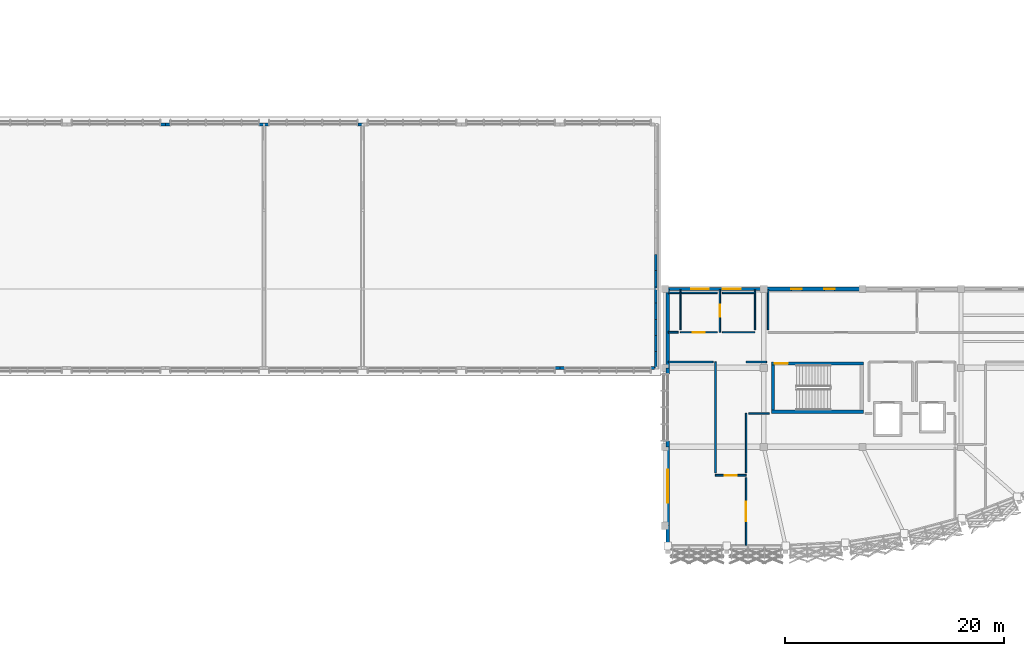
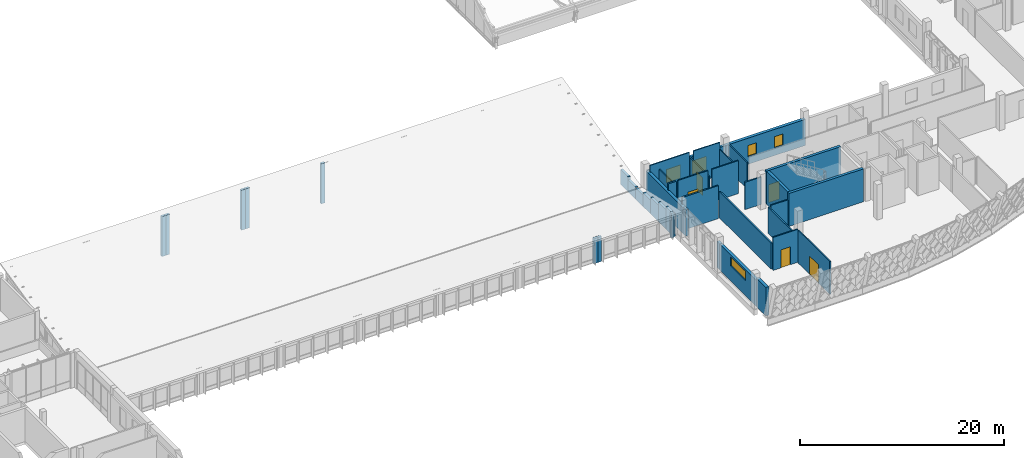
# One storey, part 164 of 182: 41 walls, 5 doors, 5 windows, 10 openings.
"""IFC4 building model written with IfcOpenShell, lengths in metres."""

import ifcopenshell
import ifcopenshell.guid

model = None  # the IFC model being written
_history = None  # IfcOwnerHistory: only IFC2X3 demands one
_inside = {}  # id of a spatial element -> (the spatial element, [elements in it])
_under = {}  # id of a project, library or spatial element -> (it, [spatial elements below it])
_declared = {}  # id of a project -> (the project, [libraries it declares])
_typed = {}  # id of a type object -> (the type object, [elements of that type])
_made_of = {}  # id of a material, layer set ... -> (it, [elements and type objects made of it])


def new_model(schema):
    """Start an empty IFC model of exactly this schema.

    Asked for "IFC4X3", IfcOpenShell would pick the latest addendum, in which some entities
    have other attributes; the version numbers below select the first issue.
    IFC2X3 requires an IfcOwnerHistory on every rooted entity: one is made here for all.
    """
    global model, _history
    if schema == "IFC4X3":
        model = ifcopenshell.file(schema_version=(4, 3, 0, 0))
    else:
        model = ifcopenshell.file(schema=schema)
    _inside.clear()
    _under.clear()
    _declared.clear()
    _typed.clear()
    _made_of.clear()
    _history = None
    if model.schema == "IFC2X3":
        org = make("IfcOrganization", Name="unknown")
        user = make(
            "IfcPersonAndOrganization",
            ThePerson=make("IfcPerson", FamilyName="unknown"),
            TheOrganization=org,
        )
        app = make(
            "IfcApplication",
            ApplicationDeveloper=org,
            Version="unknown",
            ApplicationFullName="unknown",
            ApplicationIdentifier="unknown",
        )
        _history = make(
            "IfcOwnerHistory",
            OwningUser=user,
            OwningApplication=app,
            ChangeAction="ADDED",
            CreationDate=0,
        )
    return model


def make(cls, **values):
    """One entity of the class cls with the attributes given. An attribute that is None is left unset."""
    return model.create_entity(
        cls, **{name: value for name, value in values.items() if value is not None}
    )


def rooted(cls, **values):
    """An entity with a GlobalId (a new one), such as an element, a storey or a relation."""
    return make(cls, GlobalId=ifcopenshell.guid.new(), OwnerHistory=_history, **values)


def si_unit(unit_type, name, prefix=None):
    """IfcSIUnit, for example si_unit("LENGTHUNIT", "METRE", prefix="MILLI")."""
    return make("IfcSIUnit", UnitType=unit_type, Prefix=prefix, Name=name)


def assignment(units):
    """IfcUnitAssignment: the units of a project."""
    return None if units is None else make("IfcUnitAssignment", Units=units)


def point(xyz):
    """IfcCartesianPoint."""
    return None if xyz is None else make("IfcCartesianPoint", Coordinates=xyz)


def direction(xyz):
    """IfcDirection."""
    return None if xyz is None else make("IfcDirection", DirectionRatios=xyz)


def frame(location, z_axis=None, x_axis=None):
    """IfcAxis2Placement3D, a coordinate frame: its origin and axes. An axis left out is left unset."""
    return make(
        "IfcAxis2Placement3D",
        Location=point(location),
        Axis=direction(z_axis),
        RefDirection=direction(x_axis),
    )


def frame_2d(location, x_axis=None):
    """IfcAxis2Placement2D, a coordinate frame in the plane: its origin and x axis."""
    return make(
        "IfcAxis2Placement2D", Location=point(location), RefDirection=direction(x_axis)
    )


def origin():
    """The frame at (0, 0, 0) with its axes left unset."""
    return frame((0.0, 0.0, 0.0))


def place(relative_to, where):
    """IfcLocalPlacement: puts the frame where relative to a parent placement (None: the world)."""
    return make(
        "IfcLocalPlacement", PlacementRelTo=relative_to, RelativePlacement=where
    )


def context(
    kind, dimensions, precision=None, world=None, true_north=None, identifier=None
):
    """IfcGeometricRepresentationContext, for example the 3D "Model" context."""
    return make(
        "IfcGeometricRepresentationContext",
        ContextIdentifier=identifier,
        ContextType=kind,
        CoordinateSpaceDimension=dimensions,
        Precision=precision,
        WorldCoordinateSystem=world,
        TrueNorth=true_north,
    )


def subcontext(parent, identifier, kind, view, scale=None):
    """IfcGeometricRepresentationSubContext, for example "Body" below "Model"."""
    return make(
        "IfcGeometricRepresentationSubContext",
        ContextIdentifier=identifier,
        ContextType=kind,
        ParentContext=parent,
        TargetScale=scale,
        TargetView=view,
    )


def project(units=None, contexts=None):
    """IfcProject with its units and contexts."""
    return rooted(
        "IfcProject",
        Name="project",
        RepresentationContexts=contexts,
        UnitsInContext=assignment(units),
    )


def spatial(cls, under=None, at=None, **own):
    """A site, building, storey or space (cls), placed at a placement, below another one or the project."""
    s = rooted(cls, ObjectPlacement=at, **own)
    if under is not None:
        _under.setdefault(under.id(), (under, []))[1].append(s)
    return s


def profile(cls, at=None, kind="AREA", **sizes):
    """A parametric profile (cls). Its sizes go by their IFC names, for example OverallWidth=200.0."""
    return make(cls, ProfileType=kind, Position=at, **sizes)


def rectangle(**sizes):
    """IfcRectangleProfileDef."""
    return profile("IfcRectangleProfileDef", **sizes)


def extrude(swept, where, along, depth):
    """IfcExtrudedAreaSolid: the profile swept, set in the frame where, extruded along a direction by depth."""
    return make(
        "IfcExtrudedAreaSolid",
        SweptArea=swept,
        Position=where,
        ExtrudedDirection=direction(along),
        Depth=depth,
    )


def shape(context_of_items, identifier, shape_type, items):
    """IfcShapeRepresentation: the items that make up one representation, for example the "Body"."""
    return make(
        "IfcShapeRepresentation",
        ContextOfItems=context_of_items,
        RepresentationIdentifier=identifier,
        RepresentationType=shape_type,
        Items=items,
    )


def material(Name=None, Category=None):
    """IfcMaterial."""
    return make("IfcMaterial", Name=Name, Category=Category)


def layer(
    of_material, thickness, ventilated=None, Name=None, Category=None, Priority=None
):
    """IfcMaterialLayer: one layer of a wall or slab, of a material (None: an air gap)."""
    return make(
        "IfcMaterialLayer",
        Material=of_material,
        LayerThickness=thickness,
        IsVentilated=ventilated,
        Name=Name,
        Category=Category,
        Priority=Priority,
    )


def layer_set(layers, Name=None):
    """IfcMaterialLayerSet."""
    return make("IfcMaterialLayerSet", MaterialLayers=layers, LayerSetName=Name)


def made_of(thing, what):
    """Note that an element or type object is made of a material, layer set ...; save() writes the relation."""
    if what is not None:
        _made_of.setdefault(what.id(), (what, []))[1].append(thing)
    return thing


def type_object(cls, material=None, **own):
    """A type object (cls), such as IfcWallType, which elements share."""
    return made_of(rooted(cls, **own), material)


def element(
    cls,
    number,
    at=None,
    inside=None,
    cuts=None,
    type_object=None,
    material=None,
    context=None,
    identifier="Body",
    shape_type=None,
    held_by="IfcProductDefinitionShape",
    body=None,
    shapes=None,
    **own,
):
    """One element of the class cls, such as IfcWall. Its Tag is "e" and its number.

    at: its placement. inside: the storey or other place that contains it. cuts: it is an
    opening in that element (IfcRelVoidsElement). A single representation is given by context,
    identifier, shape_type and body (its items); several are given by shapes. held_by: the class
    of the entity that holds the representations. save() writes the other relations.
    """
    e = rooted(cls, Tag="e%d" % number, ObjectPlacement=at, **own)
    if body is not None:
        shapes = [shape(context, identifier, shape_type, body)]
    if shapes is not None:
        e.Representation = make(held_by, Representations=shapes)
    if inside is not None:
        _inside.setdefault(inside.id(), (inside, []))[1].append(e)
    if cuts is not None:
        rooted(
            "IfcRelVoidsElement", RelatingBuildingElement=cuts, RelatedOpeningElement=e
        )
    if type_object is not None:
        _typed.setdefault(type_object.id(), (type_object, []))[1].append(e)
    return made_of(e, material)


def fill(opening, filler):
    """IfcRelFillsElement: the door or window that sits in an opening."""
    return rooted(
        "IfcRelFillsElement",
        RelatingOpeningElement=opening,
        RelatedBuildingElement=filler,
    )


def aggregate(whole, parts):
    """IfcRelAggregates: a whole, such as a stair, and the parts it consists of."""
    return rooted("IfcRelAggregates", RelatingObject=whole, RelatedObjects=parts)


def save(model, path):
    """Write the relations noted so far, then the file.

    IfcRelAggregates (storeys below a building ...), IfcRelContainedInSpatialStructure (elements
    in a storey), IfcRelDefinesByType, IfcRelAssociatesMaterial and IfcRelDeclares: one each for
    every whole, place, type object, material and project.
    """
    for whole, parts in _under.values():
        aggregate(whole, parts)
    for where, things in _inside.values():
        rooted(
            "IfcRelContainedInSpatialStructure",
            RelatedElements=things,
            RelatingStructure=where,
        )
    for kind, things in _typed.values():
        rooted("IfcRelDefinesByType", RelatedObjects=things, RelatingType=kind)
    for what, things in _made_of.values():
        rooted("IfcRelAssociatesMaterial", RelatedObjects=things, RelatingMaterial=what)
    for by, libraries in _declared.values():
        rooted("IfcRelDeclares", RelatingContext=by, RelatedDefinitions=libraries)
    model.write(path)


model = new_model("IFC4")

# Units and contexts
model_context = context("Model", 3, precision=1e-05, world=origin(), true_north=direction((0.0, 1.0)))
body_context = subcontext(model_context, "Body", "Model", "MODEL_VIEW")
ifc_project = project(units=[si_unit("LENGTHUNIT", "METRE"), si_unit("AREAUNIT", "SQUARE_METRE"), si_unit("VOLUMEUNIT", "CUBIC_METRE"), si_unit("PLANEANGLEUNIT", "RADIAN"), si_unit("MASSUNIT", "GRAM", prefix="KILO")], contexts=[model_context])

# Site, building, storey
site_placement = place(None, origin())
site = spatial("IfcSite", under=ifc_project, at=site_placement, CompositionType="ELEMENT")
building_placement = place(site_placement, origin())
building = spatial("IfcBuilding", under=site, at=building_placement, Name="Chiffa Square Polytechnic", CompositionType="ELEMENT")
storey_placement = place(building_placement, frame((0.0, 0.0, 9.60009765625)))
storey = spatial("IfcBuildingStorey", under=building, at=storey_placement, Name="L02", CompositionType="ELEMENT", Elevation=9.60009765625)

# Wall
ifc_material_1 = material(Name="Concrete C40/50", Category="concrete")
ifc_layer_1 = layer(ifc_material_1, 0.300048828125, Name="Concrete C40/50")
ifc_layer_set_1 = layer_set([ifc_layer_1], Name="Concrete C40/50")
wall_type_1 = type_object("IfcWallType", Name="WL-CORE-300", PredefinedType="SHEAR", material=ifc_layer_set_1)
wall_1_placement = place(storey_placement, frame((121.89990234375, 17.60009765625, 0.0), z_axis=(0.0, 0.0, 1.0), x_axis=(1.0, 0.0, 0.0)))
element("IfcWall", 1, at=wall_1_placement, inside=storey, type_object=wall_type_1, Name="Core or enclosure wall WC-CORE-V1A-L02-SOUTH", PredefinedType="SHEAR", context=body_context, shape_type="SweptSolid", body=[
    extrude(rectangle(XDim=8.400146484375, YDim=0.300048828125, at=frame_2d((4.2001953125, 0.0))), origin(), (0.0, 0.0, 1.0), 3.93994140625),
])

# Wall, opening, door
wall_2_placement = place(storey_placement, frame((121.89990234375, 22.0, 0.0), z_axis=(0.0, 0.0, 1.0), x_axis=(1.0, 0.0, 0.0)))
wall_2 = element("IfcWall", 2, at=wall_2_placement, inside=storey, type_object=wall_type_1, Name="Core or enclosure wall WC-CORE-V1A-L02-NORTH", PredefinedType="SHEAR", context=body_context, shape_type="SweptSolid", body=[
    extrude(rectangle(XDim=8.400146484375, YDim=0.300048828125, at=frame_2d((4.2001953125, 0.0))), origin(), (0.0, 0.0, 1.0), 3.93994140625),
])
opening_1_placement = place(wall_2_placement, frame((0.300048828125, 0.0, 0.0)))
opening_1 = element("IfcOpeningElement", 3, at=opening_1_placement, cuts=wall_2, Name="Opening DS-L02-004", PredefinedType="OPENING", context=body_context, shape_type="SweptSolid", body=[
    extrude(rectangle(XDim=1.199951171875, YDim=2.14990234375, at=frame_2d((0.60009765625, 1.074951171875))), frame((0.0, 0.16015625, 0.0), z_axis=(0.0, -1.0, 0.0), x_axis=(1.0, 0.0, 0.0)), (0.0, 0.0, 1.0), 0.320068359375),
])
ifc_material_2 = material(Name="Fire-rated painted steel leaf", Category="steel")
door_type_1 = type_object("IfcDoorType", Name="DR-STAIR-1200", OperationType="NOTDEFINED", PredefinedType="DOOR", material=ifc_material_2)
door_1_placement = place(opening_1_placement, origin())
door_1 = element("IfcDoor", 4, at=door_1_placement, inside=storey, type_object=door_type_1, Name="Enclosure door DS-L02-004", OperationType="SINGLE_SWING_RIGHT", OverallHeight=2.14990234375, OverallWidth=1.199951171875, PredefinedType="DOOR", context=body_context, shape_type="SweptSolid", body=[
    extrude(rectangle(XDim=1.199951171875, YDim=2.14990234375, at=frame_2d((0.60009765625, 1.074951171875))), frame((0.0, 0.02490234375, 0.0), z_axis=(0.0, -1.0, 0.0), x_axis=(1.0, 0.0, 0.0)), (0.0, 0.0, 1.0), 0.050048828125),
])
fill(opening_1, door_1)

# Walls
wall_3_placement = place(storey_placement, frame((122.050048828125, 17.75, 0.0), z_axis=(0.0, 0.0, 1.0), x_axis=(0.0, 1.0, 0.0)))
element("IfcWall", 5, at=wall_3_placement, inside=storey, type_object=wall_type_1, Name="Core or enclosure wall WC-CORE-V1A-L02-WEST", PredefinedType="SHEAR", context=body_context, shape_type="SweptSolid", body=[
    extrude(rectangle(XDim=4.10009765625, YDim=0.300048828125, at=frame_2d((2.050048828125, 0.0))), origin(), (0.0, 0.0, 1.0), 3.93994140625),
])
ifc_material_3 = material(Name="Precast concrete C40/50", Category="concrete")
ifc_layer_2 = layer(ifc_material_3, 0.260009765625, Name="Precast concrete C40/50")
ifc_layer_set_2 = layer_set([ifc_layer_2], Name="Precast concrete C40/50")
wall_type_2 = type_object("IfcWallType", Name="WL-EXT-PC260", PredefinedType="SOLIDWALL", material=ifc_layer_set_2)
wall_4_placement = place(storey_placement, frame((66.159912109375, 43.800048828125, 0.0), z_axis=(0.0, 0.0, 1.0), x_axis=(1.0, 0.0, 0.0)))
element("IfcWall", 6, at=wall_4_placement, inside=storey, type_object=wall_type_2, Name="Refectory north clerestory pier WE-V4-CLRN-P2R", PredefinedType="SOLIDWALL", context=body_context, shape_type="SweptSolid", body=[
    extrude(rectangle(XDim=0.440185546875, YDim=0.260009765625, at=frame_2d((0.22021484375, 0.0))), origin(), (0.0, 0.0, 1.0), 4.782958984375),
])
wall_5_placement = place(storey_placement, frame((66.60009765625, 43.800048828125, 0.0), z_axis=(0.0, 0.0, 1.0), x_axis=(1.0, 0.0, 0.0)))
element("IfcWall", 7, at=wall_5_placement, inside=storey, type_object=wall_type_2, Name="Refectory north clerestory pier WE-V4-CLRN-P3L", PredefinedType="SOLIDWALL", context=body_context, shape_type="SweptSolid", body=[
    extrude(rectangle(XDim=0.43994140625, YDim=0.260009765625, at=frame_2d((0.219970703125, 0.0))), origin(), (0.0, 0.0, 1.0), 4.782958984375),
])
wall_6_placement = place(storey_placement, frame((75.159912109375, 43.800048828125, 0.0), z_axis=(0.0, 0.0, 1.0), x_axis=(1.0, 0.0, 0.0)))
element("IfcWall", 8, at=wall_6_placement, inside=storey, type_object=wall_type_2, Name="Refectory north clerestory pier WE-V4-CLRN-P3R", PredefinedType="SOLIDWALL", context=body_context, shape_type="SweptSolid", body=[
    extrude(rectangle(XDim=0.440185546875, YDim=0.260009765625, at=frame_2d((0.22021484375, 0.0))), origin(), (0.0, 0.0, 1.0), 4.782958984375),
])
wall_7_placement = place(storey_placement, frame((75.60009765625, 43.800048828125, 0.0), z_axis=(0.0, 0.0, 1.0), x_axis=(1.0, 0.0, 0.0)))
element("IfcWall", 9, at=wall_7_placement, inside=storey, type_object=wall_type_2, Name="Refectory north clerestory pier WE-V4-CLRN-P4L", PredefinedType="SOLIDWALL", context=body_context, shape_type="SweptSolid", body=[
    extrude(rectangle(XDim=0.43994140625, YDim=0.260009765625, at=frame_2d((0.219970703125, 0.0))), origin(), (0.0, 0.0, 1.0), 4.782958984375),
])
wall_8_placement = place(storey_placement, frame((84.159912109375, 43.800048828125, 0.0), z_axis=(0.0, 0.0, 1.0), x_axis=(1.0, 0.0, 0.0)))
element("IfcWall", 10, at=wall_8_placement, inside=storey, type_object=wall_type_2, Name="Refectory north clerestory pier WE-V4-CLRN-P4R", PredefinedType="SOLIDWALL", context=body_context, shape_type="SweptSolid", body=[
    extrude(rectangle(XDim=0.440185546875, YDim=0.260009765625, at=frame_2d((0.22021484375, 0.0))), origin(), (0.0, 0.0, 1.0), 4.782958984375),
])
wall_9_placement = place(storey_placement, frame((102.159912109375, 21.60009765625, 0.0), z_axis=(0.0, 0.0, 1.0), x_axis=(1.0, 0.0, 0.0)))
element("IfcWall", 11, at=wall_9_placement, inside=storey, type_object=wall_type_2, Name="Refectory south clerestory pier WE-V4-CLRS-P6R", PredefinedType="SOLIDWALL", context=body_context, shape_type="SweptSolid", body=[
    extrude(rectangle(XDim=0.440185546875, YDim=0.260009765625, at=frame_2d((0.22021484375, 0.0))), origin(), (0.0, 0.0, 1.0), 2.98193359375),
])
wall_10_placement = place(storey_placement, frame((102.60009765625, 21.60009765625, 0.0), z_axis=(0.0, 0.0, 1.0), x_axis=(1.0, 0.0, 0.0)))
element("IfcWall", 12, at=wall_10_placement, inside=storey, type_object=wall_type_2, Name="Refectory south clerestory pier WE-V4-CLRS-P7L", PredefinedType="SOLIDWALL", context=body_context, shape_type="SweptSolid", body=[
    extrude(rectangle(XDim=0.43994140625, YDim=0.260009765625, at=frame_2d((0.219970703125, 0.0))), origin(), (0.0, 0.0, 1.0), 2.98193359375),
])
wall_11_placement = place(storey_placement, frame((110.909912109375, 21.60009765625, 0.0), z_axis=(0.0, 0.0, 1.0), x_axis=(1.0, 0.0, 0.0)))
element("IfcWall", 13, at=wall_11_placement, inside=storey, type_object=wall_type_2, Name="Refectory south clerestory pier WE-V4-CLRS-P7R", PredefinedType="SOLIDWALL", context=body_context, shape_type="SweptSolid", body=[
    extrude(rectangle(XDim=0.30810546875, YDim=0.260009765625, at=frame_2d((0.154052734375, 0.0))), origin(), (0.0, 0.0, 1.0), 2.98193359375),
])
wall_12_placement = place(storey_placement, frame((111.35009765625, 21.60009765625, 0.0), z_axis=(0.0, 0.0, 1.0), x_axis=(0.0, 1.0, 0.0)))
element("IfcWall", 14, at=wall_12_placement, inside=storey, type_object=wall_type_2, Name="Stepped gable infill wall WE-V4-GBL-E-01", PredefinedType="SOLIDWALL", context=body_context, shape_type="SweptSolid", body=[
    extrude(rectangle(XDim=1.47998046875, YDim=0.260009765625, at=frame_2d((0.739990234375, 0.0))), origin(), (0.0, 0.0, 1.0), 2.69189453125),
])
wall_13_placement = place(storey_placement, frame((111.35009765625, 23.080078125, 0.0), z_axis=(0.0, 0.0, 1.0), x_axis=(0.0, 1.0, 0.0)))
element("IfcWall", 15, at=wall_13_placement, inside=storey, type_object=wall_type_2, Name="Stepped gable infill wall WE-V4-GBL-E-02", PredefinedType="SOLIDWALL", context=body_context, shape_type="SweptSolid", body=[
    extrude(rectangle(XDim=1.47998046875, YDim=0.260009765625, at=frame_2d((0.739990234375, 0.0))), origin(), (0.0, 0.0, 1.0), 2.349853515625),
])
wall_14_placement = place(storey_placement, frame((111.35009765625, 24.56005859375, 0.0), z_axis=(0.0, 0.0, 1.0), x_axis=(0.0, 1.0, 0.0)))
element("IfcWall", 16, at=wall_14_placement, inside=storey, type_object=wall_type_2, Name="Stepped gable infill wall WE-V4-GBL-E-03", PredefinedType="SOLIDWALL", context=body_context, shape_type="SweptSolid", body=[
    extrude(rectangle(XDim=1.47998046875, YDim=0.260009765625, at=frame_2d((0.739990234375, 0.0))), origin(), (0.0, 0.0, 1.0), 2.0078125),
])
wall_15_placement = place(storey_placement, frame((111.35009765625, 26.0400390625, 0.0), z_axis=(0.0, 0.0, 1.0), x_axis=(0.0, 1.0, 0.0)))
element("IfcWall", 17, at=wall_15_placement, inside=storey, type_object=wall_type_2, Name="Stepped gable infill wall WE-V4-GBL-E-04", PredefinedType="SOLIDWALL", context=body_context, shape_type="SweptSolid", body=[
    extrude(rectangle(XDim=1.47998046875, YDim=0.260009765625, at=frame_2d((0.739990234375, 0.0))), origin(), (0.0, 0.0, 1.0), 1.6669921875),
])
wall_16_placement = place(storey_placement, frame((111.35009765625, 27.52001953125, 0.0), z_axis=(0.0, 0.0, 1.0), x_axis=(0.0, 1.0, 0.0)))
element("IfcWall", 18, at=wall_16_placement, inside=storey, type_object=wall_type_2, Name="Stepped gable infill wall WE-V4-GBL-E-05", PredefinedType="SOLIDWALL", context=body_context, shape_type="SweptSolid", body=[
    extrude(rectangle(XDim=1.47998046875, YDim=0.260009765625, at=frame_2d((0.739990234375, 0.0))), origin(), (0.0, 0.0, 1.0), 1.324951171875),
])
wall_17_placement = place(storey_placement, frame((111.35009765625, 29.0, 0.0), z_axis=(0.0, 0.0, 1.0), x_axis=(0.0, 1.0, 0.0)))
element("IfcWall", 19, at=wall_17_placement, inside=storey, type_object=wall_type_2, Name="Stepped gable infill wall WE-V4-GBL-E-06", PredefinedType="SOLIDWALL", context=body_context, shape_type="SweptSolid", body=[
    extrude(rectangle(XDim=1.47998046875, YDim=0.260009765625, at=frame_2d((0.739990234375, 0.0))), origin(), (0.0, 0.0, 1.0), 1.4169921875),
])
wall_18_placement = place(storey_placement, frame((111.35009765625, 30.47998046875, 0.0), z_axis=(0.0, 0.0, 1.0), x_axis=(0.0, 1.0, 0.0)))
element("IfcWall", 20, at=wall_18_placement, inside=storey, type_object=wall_type_2, Name="Stepped gable infill wall WE-V4-GBL-E-07", PredefinedType="SOLIDWALL", context=body_context, shape_type="SweptSolid", body=[
    extrude(rectangle(XDim=1.47998046875, YDim=0.260009765625, at=frame_2d((0.739990234375, 0.0))), origin(), (0.0, 0.0, 1.0), 1.7587890625),
])

# Wall, openings, windows
ifc_layer_3 = layer(ifc_material_3, 0.300048828125, Name="Precast concrete C40/50")
ifc_layer_set_3 = layer_set([ifc_layer_3], Name="Precast concrete C40/50")
wall_type_3 = type_object("IfcWallType", Name="WL-EXT-PC300", PredefinedType="SOLIDWALL", material=ifc_layer_set_3)
wall_19_placement = place(storey_placement, frame((121.199951171875, 28.800048828125, 0.0), z_axis=(0.0, 0.0, 1.0), x_axis=(-1.0, 0.0, 0.0)))
wall_19 = element("IfcWall", 21, at=wall_19_placement, inside=storey, type_object=wall_type_3, Name="Exterior wall WE-V1-L02-0041", PredefinedType="SOLIDWALL", context=body_context, shape_type="SweptSolid", body=[
    extrude(rectangle(XDim=8.75, YDim=0.300048828125, at=frame_2d((4.375, 0.0))), origin(), (0.0, 0.0, 1.0), 3.125),
])
opening_2_placement = place(wall_19_placement, frame((2.116943359375, 0.0, 0.89990234375)))
opening_2 = element("IfcOpeningElement", 22, at=opening_2_placement, cuts=wall_19, Name="Opening W-15", PredefinedType="OPENING", context=body_context, shape_type="SweptSolid", body=[
    extrude(rectangle(XDim=1.60009765625, YDim=1.60009765625, at=frame_2d((0.800048828125, 0.800048828125))), frame((0.0, 0.16015625, 0.0), z_axis=(0.0, -1.0, 0.0), x_axis=(1.0, 0.0, 0.0)), (0.0, 0.0, 1.0), 0.320068359375),
])
opening_3_placement = place(wall_19_placement, frame((5.032958984375, 0.0, 0.89990234375)))
opening_3 = element("IfcOpeningElement", 23, at=opening_3_placement, cuts=wall_19, Name="Opening W-15", PredefinedType="OPENING", context=body_context, shape_type="SweptSolid", body=[
    extrude(rectangle(XDim=1.60009765625, YDim=1.60009765625, at=frame_2d((0.800048828125, 0.800048828125))), frame((0.0, 0.16015625, 0.0), z_axis=(0.0, -1.0, 0.0), x_axis=(1.0, 0.0, 0.0)), (0.0, 0.0, 1.0), 0.320068359375),
])
ifc_material_4 = material(Name="Double glazing in thermally broken aluminium frame", Category="aluminium")
window_type_1 = type_object("IfcWindowType", Name="WIN-OFF-1600X1600", PartitioningType="DOUBLE_PANEL_VERTICAL", PredefinedType="WINDOW", material=ifc_material_4)
window_1_placement = place(opening_2_placement, origin())
window_1 = element("IfcWindow", 24, at=window_1_placement, inside=storey, type_object=window_type_1, Name="Facade window WN-L02-0040", OverallHeight=1.60009765625, OverallWidth=1.60009765625, PartitioningType="DOUBLE_PANEL_VERTICAL", PredefinedType="WINDOW", context=body_context, shape_type="SweptSolid", body=[
    extrude(rectangle(XDim=1.60009765625, YDim=1.60009765625, at=frame_2d((0.800048828125, 0.800048828125))), frame((0.0, 0.030029296875, 0.0), z_axis=(0.0, -1.0, 0.0), x_axis=(1.0, 0.0, 0.0)), (0.0, 0.0, 1.0), 0.06005859375),
])
fill(opening_2, window_1)
window_2_placement = place(opening_3_placement, origin())
window_2 = element("IfcWindow", 25, at=window_2_placement, inside=storey, type_object=window_type_1, Name="Facade window WN-L02-0041", OverallHeight=1.60009765625, OverallWidth=1.60009765625, PartitioningType="DOUBLE_PANEL_VERTICAL", PredefinedType="WINDOW", context=body_context, shape_type="SweptSolid", body=[
    extrude(rectangle(XDim=1.60009765625, YDim=1.60009765625, at=frame_2d((0.800048828125, 0.800048828125))), frame((0.0, 0.030029296875, 0.0), z_axis=(0.0, -1.0, 0.0), x_axis=(1.0, 0.0, 0.0)), (0.0, 0.0, 1.0), 0.06005859375),
])
fill(opening_3, window_2)

# Walls
for number, where, z_axis, x_axis, name in (
    (26, (112.449951171875, 21.60009765625, 0.0), (0.0, 0.0, 1.0), (0.0, -1.0, 0.0), "Facade column pier V1-L02-0043L"),
    (27, (112.449951171875, 14.93994140625, 0.0), (0.0, 0.0, 1.0), (0.0, -1.0, 0.0), "Facade column pier V1-L02-0043R"),
):
    element("IfcWall", number, at=place(storey_placement, frame(where, z_axis=z_axis, x_axis=x_axis)), inside=storey, type_object=wall_type_3, Name=name, PredefinedType="SOLIDWALL", context=body_context, shape_type="SweptSolid", body=[
        extrude(rectangle(XDim=0.5400390625, YDim=0.300048828125, at=frame_2d((0.27001953125, 0.0))), origin(), (0.0, 0.0, 1.0), 3.125),
    ])

# Wall, opening, window
ifc_layer_4 = layer(ifc_material_3, 0.320068359375, Name="Precast concrete C40/50")
ifc_layer_set_4 = layer_set([ifc_layer_4], Name="Precast concrete C40/50")
wall_type_4 = type_object("IfcWallType", Name="WL-EXT-PC320", PredefinedType="SOLIDWALL", material=ifc_layer_set_4)
wall_20_placement = place(storey_placement, frame((112.449951171875, 14.39990234375, 0.0), z_axis=(0.0, 0.0, 1.0), x_axis=(0.0, -1.0, 0.0)))
wall_20 = element("IfcWall", 28, at=wall_20_placement, inside=storey, type_object=wall_type_4, Name="Exterior wall WE-V1-L02-0044", PredefinedType="SOLIDWALL", context=body_context, shape_type="SweptSolid", body=[
    extrude(rectangle(XDim=7.199951171875, YDim=0.320068359375, at=frame_2d((3.60009765625, 0.0))), origin(), (0.0, 0.0, 1.0), 3.125),
])
opening_4_placement = place(wall_20_placement, frame((2.10009765625, 0.0, 1.804931640625)))
opening_4 = element("IfcOpeningElement", 29, at=opening_4_placement, cuts=wall_20, Name="Opening WCL-01", PredefinedType="OPENING", context=body_context, shape_type="SweptSolid", body=[
    extrude(rectangle(XDim=3.0, YDim=1.10009765625, at=frame_2d((1.5, 0.550048828125))), frame((0.0, 0.169921875, 0.0), z_axis=(0.0, -1.0, 0.0), x_axis=(1.0, 0.0, 0.0)), (0.0, 0.0, 1.0), 0.340087890625),
])
window_type_2 = type_object("IfcWindowType", Name="WIN-CLR-3000X1100", PartitioningType="DOUBLE_PANEL_VERTICAL", PredefinedType="WINDOW", material=ifc_material_4)
window_3_placement = place(opening_4_placement, origin())
window_3 = element("IfcWindow", 30, at=window_3_placement, inside=storey, type_object=window_type_2, Name="Facade window WN-L02-0042", OverallHeight=1.10009765625, OverallWidth=3.0, PartitioningType="DOUBLE_PANEL_VERTICAL", PredefinedType="WINDOW", context=body_context, shape_type="SweptSolid", body=[
    extrude(rectangle(XDim=3.0, YDim=1.10009765625, at=frame_2d((1.5, 0.550048828125))), frame((0.0, 0.030029296875, 0.0), z_axis=(0.0, -1.0, 0.0), x_axis=(1.0, 0.0, 0.0)), (0.0, 0.0, 1.0), 0.06005859375),
])
fill(opening_4, window_3)

# Wall, openings, windows
ifc_layer_5 = layer(ifc_material_3, 0.340087890625, Name="Precast concrete C40/50")
ifc_layer_set_5 = layer_set([ifc_layer_5], Name="Precast concrete C40/50")
wall_type_5 = type_object("IfcWallType", Name="WL-EXT-PC340", PredefinedType="SOLIDWALL", material=ifc_layer_set_5)
wall_21_placement = place(storey_placement, frame((130.199951171875, 28.800048828125, 0.0), z_axis=(0.0, 0.0, 1.0), x_axis=(-1.0, 0.0, 0.0)))
wall_21 = element("IfcWall", 31, at=wall_21_placement, inside=storey, type_object=wall_type_5, Name="Exterior wall WE-V1-L02-0040", PredefinedType="SOLIDWALL", context=body_context, shape_type="SweptSolid", body=[
    extrude(rectangle(XDim=9.0, YDim=0.340087890625, at=frame_2d((4.5, 0.0))), origin(), (0.0, 0.0, 1.0), 3.125),
])
opening_5_placement = place(wall_21_placement, frame((2.52490234375, 0.0, 0.89990234375)))
opening_5 = element("IfcOpeningElement", 32, at=opening_5_placement, cuts=wall_21, Name="Opening W-21", PredefinedType="OPENING", context=body_context, shape_type="SweptSolid", body=[
    extrude(rectangle(XDim=0.949951171875, YDim=1.35009765625, at=frame_2d((0.47509765625, 0.675048828125))), frame((0.0, 0.18017578125, 0.0), z_axis=(0.0, -1.0, 0.0), x_axis=(1.0, 0.0, 0.0)), (0.0, 0.0, 1.0), 0.360107421875),
])
opening_6_placement = place(wall_21_placement, frame((5.52490234375, 0.0, 0.89990234375)))
opening_6 = element("IfcOpeningElement", 33, at=opening_6_placement, cuts=wall_21, Name="Opening W-21", PredefinedType="OPENING", context=body_context, shape_type="SweptSolid", body=[
    extrude(rectangle(XDim=0.949951171875, YDim=1.35009765625, at=frame_2d((0.47509765625, 0.675048828125))), frame((0.0, 0.18017578125, 0.0), z_axis=(0.0, -1.0, 0.0), x_axis=(1.0, 0.0, 0.0)), (0.0, 0.0, 1.0), 0.360107421875),
])
window_type_3 = type_object("IfcWindowType", Name="WIN-OFF-0950X1350", PartitioningType="DOUBLE_PANEL_VERTICAL", PredefinedType="WINDOW", material=ifc_material_4)
window_4_placement = place(opening_5_placement, origin())
window_4 = element("IfcWindow", 34, at=window_4_placement, inside=storey, type_object=window_type_3, Name="Facade window WN-L02-0038", OverallHeight=1.35009765625, OverallWidth=0.949951171875, PartitioningType="DOUBLE_PANEL_VERTICAL", PredefinedType="WINDOW", context=body_context, shape_type="SweptSolid", body=[
    extrude(rectangle(XDim=0.949951171875, YDim=1.35009765625, at=frame_2d((0.47509765625, 0.675048828125))), frame((0.0, 0.030029296875, 0.0), z_axis=(0.0, -1.0, 0.0), x_axis=(1.0, 0.0, 0.0)), (0.0, 0.0, 1.0), 0.06005859375),
])
fill(opening_5, window_4)
window_5_placement = place(opening_6_placement, origin())
window_5 = element("IfcWindow", 35, at=window_5_placement, inside=storey, type_object=window_type_3, Name="Facade window WN-L02-0039", OverallHeight=1.35009765625, OverallWidth=0.949951171875, PartitioningType="DOUBLE_PANEL_VERTICAL", PredefinedType="WINDOW", context=body_context, shape_type="SweptSolid", body=[
    extrude(rectangle(XDim=0.949951171875, YDim=1.35009765625, at=frame_2d((0.47509765625, 0.675048828125))), frame((0.0, 0.030029296875, 0.0), z_axis=(0.0, -1.0, 0.0), x_axis=(1.0, 0.0, 0.0)), (0.0, 0.0, 1.0), 0.06005859375),
])
fill(opening_6, window_5)

# Walls
wall_22_placement = place(storey_placement, frame((112.449951171875, 28.800048828125, 0.0), z_axis=(0.0, 0.0, 1.0), x_axis=(0.0, -1.0, 0.0)))
element("IfcWall", 36, at=wall_22_placement, inside=storey, type_object=wall_type_5, Name="Exterior wall WE-V1-L02-0042", PredefinedType="SOLIDWALL", context=body_context, shape_type="SweptSolid", body=[
    extrude(rectangle(XDim=7.199951171875, YDim=0.340087890625, at=frame_2d((3.60009765625, 0.0))), origin(), (0.0, 0.0, 1.0), 3.125),
])
wall_23_placement = place(storey_placement, frame((112.449951171875, 7.199951171875, 0.0), z_axis=(0.0, 0.0, 1.0), x_axis=(0.0, -1.0, 0.0)))
element("IfcWall", 37, at=wall_23_placement, inside=storey, type_object=wall_type_5, Name="Exterior wall WE-V1-L02-0045", PredefinedType="SOLIDWALL", context=body_context, shape_type="SweptSolid", body=[
    extrude(rectangle(XDim=1.849853515625, YDim=0.340087890625, at=frame_2d((0.9248046875, 0.0))), origin(), (0.0, 0.0, 1.0), 3.4248046875),
])

# Wall, opening, door
ifc_material_5 = material(Name="Gypsum board on steel stud", Category="steel")
ifc_layer_6 = layer(ifc_material_5, 0.125, Name="Gypsum board on steel stud")
ifc_layer_set_6 = layer_set([ifc_layer_6], Name="Gypsum board on steel stud")
wall_type_6 = type_object("IfcWallType", Name="WL-PART-125", PredefinedType="PARTITIONING", material=ifc_layer_set_6)
wall_24_placement = place(storey_placement, frame((119.60009765625, 5.405029296875, 0.0), z_axis=(0.0, 0.0, 1.0), x_axis=(0.0, 1.0, 0.0)))
wall_24 = element("IfcWall", 38, at=wall_24_placement, inside=storey, type_object=wall_type_6, Name="Interior partition WP-V1-L02-0413", PredefinedType="PARTITIONING", context=body_context, shape_type="SweptSolid", body=[
    extrude(rectangle(XDim=6.175048828125, YDim=0.125, at=frame_2d((3.08740234375, 0.0))), origin(), (0.0, 0.0, 1.0), 3.93994140625),
])
opening_7_placement = place(wall_24_placement, frame((2.18798828125, 0.0, 0.0)))
opening_7 = element("IfcOpeningElement", 39, at=opening_7_placement, cuts=wall_24, Name="Opening DI-L02-167", PredefinedType="OPENING", context=body_context, shape_type="SweptSolid", body=[
    extrude(rectangle(XDim=1.800048828125, YDim=2.199951171875, at=frame_2d((0.89990234375, 1.10009765625))), frame((0.0, 0.072509765625, 0.0), z_axis=(0.0, -1.0, 0.0), x_axis=(1.0, 0.0, 0.0)), (0.0, 0.0, 1.0), 0.14501953125),
])
ifc_material_6 = material(Name="Solid oak fire door pair")
door_type_2 = type_object("IfcDoorType", Name="DR-CORR-DBL-1800", OperationType="DOUBLE_DOOR_SINGLE_SWING", PredefinedType="DOOR", material=ifc_material_6)
door_2_placement = place(opening_7_placement, origin())
door_2 = element("IfcDoor", 40, at=door_2_placement, inside=storey, type_object=door_type_2, Name="Interior room door DI-L02-167", OperationType="DOUBLE_DOOR_SINGLE_SWING", OverallHeight=2.199951171875, OverallWidth=1.800048828125, PredefinedType="DOOR", context=body_context, shape_type="SweptSolid", body=[
    extrude(rectangle(XDim=1.800048828125, YDim=2.199951171875, at=frame_2d((0.89990234375, 1.10009765625))), frame((0.0, 0.02490234375, 0.0), z_axis=(0.0, -1.0, 0.0), x_axis=(1.0, 0.0, 0.0)), (0.0, 0.0, 1.0), 0.050048828125),
])
fill(opening_7, door_2)

# Walls
wall_25_placement = place(storey_placement, frame((119.820068359375, 17.449951171875, 0.0), z_axis=(0.0, 0.0, 1.0), x_axis=(1.0, 0.0, 0.0)))
element("IfcWall", 41, at=wall_25_placement, inside=storey, type_object=wall_type_6, Name="Interior partition WP-V1-L02-0443", PredefinedType="PARTITIONING", context=body_context, shape_type="SweptSolid", body=[
    extrude(rectangle(XDim=1.892822265625, YDim=0.125, at=frame_2d((0.9462890625, 0.0))), origin(), (0.0, 0.0, 1.0), 3.27490234375),
])
ifc_layer_7 = layer(ifc_material_5, 0.135009765625, Name="Gypsum board on steel stud")
ifc_layer_set_7 = layer_set([ifc_layer_7], Name="Gypsum board on steel stud")
wall_type_7 = type_object("IfcWallType", Name="WL-PART-135", PredefinedType="PARTITIONING", material=ifc_layer_set_7)
wall_26_placement = place(storey_placement, frame((121.60009765625, 25.070068359375, 0.0), z_axis=(0.0, 0.0, 1.0), x_axis=(0.0, 1.0, 0.0)))
element("IfcWall", 42, at=wall_26_placement, inside=storey, type_object=wall_type_7, Name="Interior partition WP-V1-L02-0409", PredefinedType="PARTITIONING", context=body_context, shape_type="SweptSolid", body=[
    extrude(rectangle(XDim=3.675048828125, YDim=0.135009765625, at=frame_2d((1.83740234375, 0.0))), origin(), (0.0, 0.0, 1.0), 3.125),
])
wall_27_placement = place(storey_placement, frame((119.60009765625, 12.02001953125, 0.0), z_axis=(0.0, 0.0, 1.0), x_axis=(0.0, 1.0, 0.0)))
element("IfcWall", 43, at=wall_27_placement, inside=storey, type_object=wall_type_7, Name="Interior partition WP-V1-L02-0442", PredefinedType="PARTITIONING", context=body_context, shape_type="SweptSolid", body=[
    extrude(rectangle(XDim=5.429931640625, YDim=0.135009765625, at=frame_2d((2.71484375, 0.0))), origin(), (0.0, 0.0, 1.0), 3.125),
])

# Wall, opening, door
ifc_material_7 = material(Name="Gypsum board on acoustic steel stud", Category="steel")
ifc_layer_8 = layer(ifc_material_7, 0.159912109375, Name="Gypsum board on acoustic steel stud")
ifc_layer_set_8 = layer_set([ifc_layer_8], Name="Gypsum board on acoustic steel stud")
wall_type_8 = type_object("IfcWallType", Name="WL-PART-EI60-160", PredefinedType="PARTITIONING", material=ifc_layer_set_8)
wall_28_placement = place(storey_placement, frame((116.800048828125, 11.800048828125, 0.0), z_axis=(0.0, 0.0, 1.0), x_axis=(1.0, 0.0, 0.0)))
wall_28 = element("IfcWall", 44, at=wall_28_placement, inside=storey, type_object=wall_type_8, Name="Interior partition WP-V1-L02-0410", PredefinedType="PARTITIONING", context=body_context, shape_type="SweptSolid", body=[
    extrude(rectangle(XDim=2.800048828125, YDim=0.159912109375, at=frame_2d((1.39990234375, 0.0))), origin(), (0.0, 0.0, 1.0), 3.93994140625),
])
opening_8_placement = place(wall_28_placement, frame((0.85009765625, 0.0, 0.0)))
opening_8 = element("IfcOpeningElement", 45, at=opening_8_placement, cuts=wall_28, Name="Opening DI-L02-166", PredefinedType="OPENING", context=body_context, shape_type="SweptSolid", body=[
    extrude(rectangle(XDim=1.10009765625, YDim=2.14990234375, at=frame_2d((0.550048828125, 1.074951171875))), frame((0.0, 0.08984375, 0.0), z_axis=(0.0, -1.0, 0.0), x_axis=(1.0, 0.0, 0.0)), (0.0, 0.0, 1.0), 0.179931640625),
])
ifc_material_8 = material(Name="Solid core ash veneer door")
door_type_3 = type_object("IfcDoorType", Name="DR-INT-1100", OperationType="NOTDEFINED", PredefinedType="DOOR", material=ifc_material_8)
door_3_placement = place(opening_8_placement, origin())
door_3 = element("IfcDoor", 46, at=door_3_placement, inside=storey, type_object=door_type_3, Name="Interior room door DI-L02-166", OperationType="SINGLE_SWING_RIGHT", OverallHeight=2.14990234375, OverallWidth=1.10009765625, PredefinedType="DOOR", context=body_context, shape_type="SweptSolid", body=[
    extrude(rectangle(XDim=1.10009765625, YDim=2.14990234375, at=frame_2d((0.550048828125, 1.074951171875))), frame((0.0, 0.02490234375, 0.0), z_axis=(0.0, -1.0, 0.0), x_axis=(1.0, 0.0, 0.0)), (0.0, 0.0, 1.0), 0.050048828125),
])
fill(opening_8, door_3)

# Walls
wall_29_placement = place(storey_placement, frame((116.800048828125, 12.02001953125, 0.0), z_axis=(0.0, 0.0, 1.0), x_axis=(0.0, 1.0, 0.0)))
element("IfcWall", 47, at=wall_29_placement, inside=storey, type_object=wall_type_8, Name="Interior partition WP-V1-L02-0411", PredefinedType="PARTITIONING", context=body_context, shape_type="SweptSolid", body=[
    extrude(rectangle(XDim=10.1298828125, YDim=0.159912109375, at=frame_2d((5.06494140625, 0.0))), origin(), (0.0, 0.0, 1.0), 3.125),
])
wall_30_placement = place(storey_placement, frame((112.5048828125, 22.14990234375, 0.0), z_axis=(0.0, 0.0, 1.0), x_axis=(1.0, 0.0, 0.0)))
element("IfcWall", 48, at=wall_30_placement, inside=storey, type_object=wall_type_8, Name="Interior partition WP-V1-L02-0412", PredefinedType="PARTITIONING", context=body_context, shape_type="SweptSolid", body=[
    extrude(rectangle(XDim=4.0751953125, YDim=0.159912109375, at=frame_2d((2.03759765625, 0.0))), origin(), (0.0, 0.0, 1.0), 3.93994140625),
])
wall_31_placement = place(storey_placement, frame((119.60009765625, 22.14990234375, 0.0), z_axis=(0.0, 0.0, 1.0), x_axis=(1.0, 0.0, 0.0)))
element("IfcWall", 49, at=wall_31_placement, inside=storey, type_object=wall_type_8, Name="Interior partition WP-V1-L02-0486", PredefinedType="PARTITIONING", context=body_context, shape_type="SweptSolid", body=[
    extrude(rectangle(XDim=1.85888671875, YDim=0.159912109375, at=frame_2d((0.929443359375, 0.0))), origin(), (0.0, 0.0, 1.0), 3.27490234375),
])
wall_32_placement = place(storey_placement, frame((112.5048828125, 24.85009765625, 0.0), z_axis=(0.0, 0.0, 1.0), x_axis=(1.0, 0.0, 0.0)))
element("IfcWall", 50, at=wall_32_placement, inside=storey, type_object=wall_type_8, Name="Interior partition WP-V1-L02-0487", PredefinedType="PARTITIONING", context=body_context, shape_type="SweptSolid", body=[
    extrude(rectangle(XDim=0.875, YDim=0.159912109375, at=frame_2d((0.4375, 0.0))), origin(), (0.0, 0.0, 1.0), 3.93994140625),
])

# Wall, opening, door
ifc_material_9 = material(Name="Moisture-resistant board partition")
ifc_layer_9 = layer(ifc_material_9, 0.1201171875, Name="Moisture-resistant board partition")
ifc_layer_set_9 = layer_set([ifc_layer_9], Name="Moisture-resistant board partition")
wall_type_9 = type_object("IfcWallType", Name="WL-PART-WC-120", PredefinedType="PARTITIONING", material=ifc_layer_set_9)
wall_33_placement = place(storey_placement, frame((117.199951171875, 24.85009765625, 0.0), z_axis=(0.0, 0.0, 1.0), x_axis=(0.0, 1.0, 0.0)))
wall_33 = element("IfcWall", 51, at=wall_33_placement, inside=storey, type_object=wall_type_9, Name="Interior partition WP-V1-L02-0380", PredefinedType="PARTITIONING", context=body_context, shape_type="SweptSolid", body=[
    extrude(rectangle(XDim=3.89501953125, YDim=0.1201171875, at=frame_2d((1.947509765625, 0.0))), origin(), (0.0, 0.0, 1.0), 3.125),
])
opening_9_placement = place(wall_33_placement, frame((1.39697265625, 0.0, 0.0)))
opening_9 = element("IfcOpeningElement", 52, at=opening_9_placement, cuts=wall_33, Name="Opening DI-L02-155", PredefinedType="OPENING", context=body_context, shape_type="SweptSolid", body=[
    extrude(rectangle(XDim=1.10009765625, YDim=2.14990234375, at=frame_2d((0.550048828125, 1.074951171875))), frame((0.0, 0.070068359375, 0.0), z_axis=(0.0, -1.0, 0.0), x_axis=(1.0, 0.0, 0.0)), (0.0, 0.0, 1.0), 0.14013671875),
])
door_4_placement = place(opening_9_placement, origin())
door_4 = element("IfcDoor", 53, at=door_4_placement, inside=storey, type_object=door_type_3, Name="Interior room door DI-L02-155", OperationType="SINGLE_SWING_LEFT", OverallHeight=2.14990234375, OverallWidth=1.10009765625, PredefinedType="DOOR", context=body_context, shape_type="SweptSolid", body=[
    extrude(rectangle(XDim=1.10009765625, YDim=2.14990234375, at=frame_2d((0.550048828125, 1.074951171875))), frame((0.0, 0.02490234375, 0.0), z_axis=(0.0, -1.0, 0.0), x_axis=(1.0, 0.0, 0.0)), (0.0, 0.0, 1.0), 0.050048828125),
])
fill(opening_9, door_4)

# Walls
for number, where, z_axis, x_axis, name in (
    (54, (117.419921875, 24.85009765625, 0.0), (0.0, 0.0, 1.0), (1.0, 0.0, 0.0), "Interior partition WP-V1-L02-0381"),
    (55, (117.419921875, 28.449951171875, 0.0), (0.0, 0.0, 1.0), (1.0, 0.0, 0.0), "Interior partition WP-V1-L02-0382"),
):
    element("IfcWall", number, at=place(storey_placement, frame(where, z_axis=z_axis, x_axis=x_axis)), inside=storey, type_object=wall_type_9, Name=name, PredefinedType="PARTITIONING", context=body_context, shape_type="SweptSolid", body=[
        extrude(rectangle(XDim=2.97998046875, YDim=0.1201171875, at=frame_2d((1.489990234375, 0.0))), origin(), (0.0, 0.0, 1.0), 3.93994140625),
    ])
wall_34_placement = place(storey_placement, frame((120.39990234375, 25.070068359375, 0.0), z_axis=(0.0, 0.0, 1.0), x_axis=(0.0, 1.0, 0.0)))
element("IfcWall", 56, at=wall_34_placement, inside=storey, type_object=wall_type_9, Name="Interior partition WP-V1-L02-0383", PredefinedType="PARTITIONING", context=body_context, shape_type="SweptSolid", body=[
    extrude(rectangle(XDim=3.675048828125, YDim=0.1201171875, at=frame_2d((1.83740234375, 0.0))), origin(), (0.0, 0.0, 1.0), 3.125),
])
wall_35_placement = place(storey_placement, frame((112.5048828125, 28.449951171875, 0.0), z_axis=(0.0, 0.0, 1.0), x_axis=(1.0, 0.0, 0.0)))
element("IfcWall", 57, at=wall_35_placement, inside=storey, type_object=wall_type_9, Name="Interior partition WP-V1-L02-0388", PredefinedType="PARTITIONING", context=body_context, shape_type="SweptSolid", body=[
    extrude(rectangle(XDim=4.47509765625, YDim=0.1201171875, at=frame_2d((2.237548828125, 0.0))), origin(), (0.0, 0.0, 1.0), 3.93994140625),
])

# Wall, opening, door
wall_36_placement = place(storey_placement, frame((113.60009765625, 24.85009765625, 0.0), z_axis=(0.0, 0.0, 1.0), x_axis=(1.0, 0.0, 0.0)))
wall_36 = element("IfcWall", 58, at=wall_36_placement, inside=storey, type_object=wall_type_9, Name="Interior partition WP-V1-L02-0389", PredefinedType="PARTITIONING", context=body_context, shape_type="SweptSolid", body=[
    extrude(rectangle(XDim=3.3798828125, YDim=0.1201171875, at=frame_2d((1.68994140625, 0.0))), origin(), (0.0, 0.0, 1.0), 3.93994140625),
])
opening_10_placement = place(wall_36_placement, frame((1.139892578125, 0.0, 0.0)))
opening_10 = element("IfcOpeningElement", 59, at=opening_10_placement, cuts=wall_36, Name="Opening DI-L02-157", PredefinedType="OPENING", context=body_context, shape_type="SweptSolid", body=[
    extrude(rectangle(XDim=1.10009765625, YDim=2.14990234375, at=frame_2d((0.550048828125, 1.074951171875))), frame((0.0, 0.070068359375, 0.0), z_axis=(0.0, -1.0, 0.0), x_axis=(1.0, 0.0, 0.0)), (0.0, 0.0, 1.0), 0.14013671875),
])
door_5_placement = place(opening_10_placement, origin())
door_5 = element("IfcDoor", 60, at=door_5_placement, inside=storey, type_object=door_type_3, Name="Interior room door DI-L02-157", OperationType="SINGLE_SWING_RIGHT", OverallHeight=2.14990234375, OverallWidth=1.10009765625, PredefinedType="DOOR", context=body_context, shape_type="SweptSolid", body=[
    extrude(rectangle(XDim=1.10009765625, YDim=2.14990234375, at=frame_2d((0.550048828125, 1.074951171875))), frame((0.0, 0.02490234375, 0.0), z_axis=(0.0, -1.0, 0.0), x_axis=(1.0, 0.0, 0.0)), (0.0, 0.0, 1.0), 0.050048828125),
])
fill(opening_10, door_5)

# Wall
wall_37_placement = place(storey_placement, frame((113.60009765625, 25.070068359375, 0.0), z_axis=(0.0, 0.0, 1.0), x_axis=(0.0, 1.0, 0.0)))
element("IfcWall", 61, at=wall_37_placement, inside=storey, type_object=wall_type_9, Name="Interior partition WP-V1-L02-0390", PredefinedType="PARTITIONING", context=body_context, shape_type="SweptSolid", body=[
    extrude(rectangle(XDim=3.675048828125, YDim=0.1201171875, at=frame_2d((1.83740234375, 0.0))), origin(), (0.0, 0.0, 1.0), 3.125),
])

save(model, "model.ifc")
